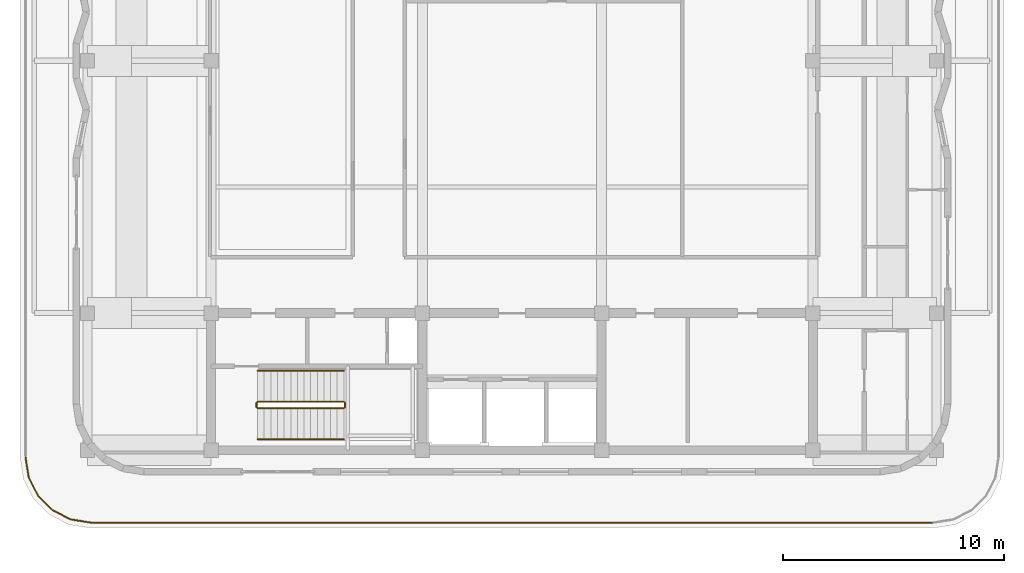
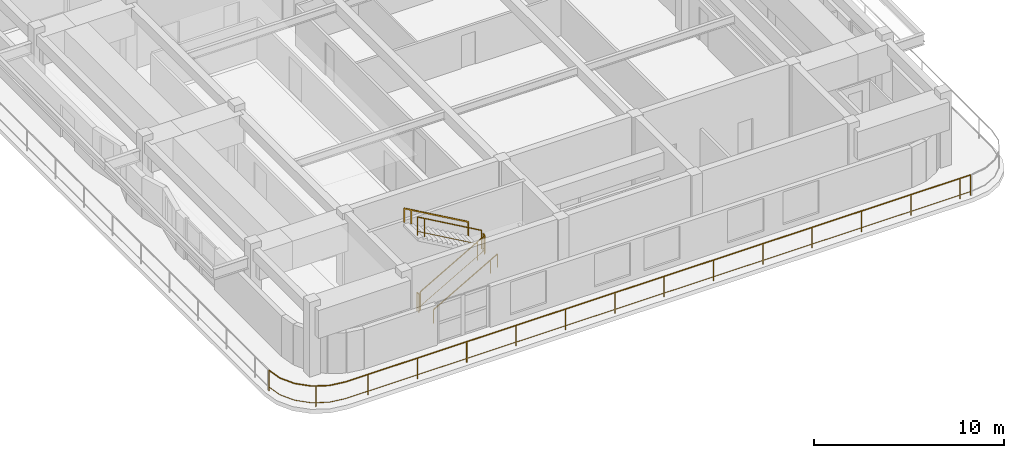
# One storey, part 10 of 12: 7 railings.
"""IFC4 building model written with IfcOpenShell, lengths in metres."""

import ifcopenshell
import ifcopenshell.guid

model = None  # the IFC model being written
_history = None  # IfcOwnerHistory: only IFC2X3 demands one
_inside = {}  # id of a spatial element -> (the spatial element, [elements in it])
_under = {}  # id of a project, library or spatial element -> (it, [spatial elements below it])
_declared = {}  # id of a project -> (the project, [libraries it declares])
_typed = {}  # id of a type object -> (the type object, [elements of that type])
_made_of = {}  # id of a material, layer set ... -> (it, [elements and type objects made of it])


def new_model(schema):
    """Start an empty IFC model of exactly this schema.

    Asked for "IFC4X3", IfcOpenShell would pick the latest addendum, in which some entities
    have other attributes; the version numbers below select the first issue.
    IFC2X3 requires an IfcOwnerHistory on every rooted entity: one is made here for all.
    """
    global model, _history
    if schema == "IFC4X3":
        model = ifcopenshell.file(schema_version=(4, 3, 0, 0))
    else:
        model = ifcopenshell.file(schema=schema)
    _inside.clear()
    _under.clear()
    _declared.clear()
    _typed.clear()
    _made_of.clear()
    _history = None
    if model.schema == "IFC2X3":
        org = make("IfcOrganization", Name="unknown")
        user = make(
            "IfcPersonAndOrganization",
            ThePerson=make("IfcPerson", FamilyName="unknown"),
            TheOrganization=org,
        )
        app = make(
            "IfcApplication",
            ApplicationDeveloper=org,
            Version="unknown",
            ApplicationFullName="unknown",
            ApplicationIdentifier="unknown",
        )
        _history = make(
            "IfcOwnerHistory",
            OwningUser=user,
            OwningApplication=app,
            ChangeAction="ADDED",
            CreationDate=0,
        )
    return model


def make(cls, **values):
    """One entity of the class cls with the attributes given. An attribute that is None is left unset."""
    return model.create_entity(
        cls, **{name: value for name, value in values.items() if value is not None}
    )


def rooted(cls, **values):
    """An entity with a GlobalId (a new one), such as an element, a storey or a relation."""
    return make(cls, GlobalId=ifcopenshell.guid.new(), OwnerHistory=_history, **values)


def si_unit(unit_type, name, prefix=None):
    """IfcSIUnit, for example si_unit("LENGTHUNIT", "METRE", prefix="MILLI")."""
    return make("IfcSIUnit", UnitType=unit_type, Prefix=prefix, Name=name)


def assignment(units):
    """IfcUnitAssignment: the units of a project."""
    return None if units is None else make("IfcUnitAssignment", Units=units)


def point(xyz):
    """IfcCartesianPoint."""
    return None if xyz is None else make("IfcCartesianPoint", Coordinates=xyz)


def direction(xyz):
    """IfcDirection."""
    return None if xyz is None else make("IfcDirection", DirectionRatios=xyz)


def frame(location, z_axis=None, x_axis=None):
    """IfcAxis2Placement3D, a coordinate frame: its origin and axes. An axis left out is left unset."""
    return make(
        "IfcAxis2Placement3D",
        Location=point(location),
        Axis=direction(z_axis),
        RefDirection=direction(x_axis),
    )


def frame_2d(location, x_axis=None):
    """IfcAxis2Placement2D, a coordinate frame in the plane: its origin and x axis."""
    return make(
        "IfcAxis2Placement2D", Location=point(location), RefDirection=direction(x_axis)
    )


def origin():
    """The frame at (0, 0, 0) with its axes left unset."""
    return frame((0.0, 0.0, 0.0))


def origin_2d():
    """The frame at (0, 0) in the plane with its x axis left unset."""
    return frame_2d((0.0, 0.0))


def place(relative_to, where):
    """IfcLocalPlacement: puts the frame where relative to a parent placement (None: the world)."""
    return make(
        "IfcLocalPlacement", PlacementRelTo=relative_to, RelativePlacement=where
    )


def context(
    kind, dimensions, precision=None, world=None, true_north=None, identifier=None
):
    """IfcGeometricRepresentationContext, for example the 3D "Model" context."""
    return make(
        "IfcGeometricRepresentationContext",
        ContextIdentifier=identifier,
        ContextType=kind,
        CoordinateSpaceDimension=dimensions,
        Precision=precision,
        WorldCoordinateSystem=world,
        TrueNorth=true_north,
    )


def subcontext(parent, identifier, kind, view, scale=None):
    """IfcGeometricRepresentationSubContext, for example "Body" below "Model"."""
    return make(
        "IfcGeometricRepresentationSubContext",
        ContextIdentifier=identifier,
        ContextType=kind,
        ParentContext=parent,
        TargetScale=scale,
        TargetView=view,
    )


def project(units=None, contexts=None):
    """IfcProject with its units and contexts."""
    return rooted(
        "IfcProject",
        Name="project",
        RepresentationContexts=contexts,
        UnitsInContext=assignment(units),
    )


def spatial(cls, under=None, at=None, **own):
    """A site, building, storey or space (cls), placed at a placement, below another one or the project."""
    s = rooted(cls, ObjectPlacement=at, **own)
    if under is not None:
        _under.setdefault(under.id(), (under, []))[1].append(s)
    return s


def profile(cls, at=None, kind="AREA", **sizes):
    """A parametric profile (cls). Its sizes go by their IFC names, for example OverallWidth=200.0."""
    return make(cls, ProfileType=kind, Position=at, **sizes)


def rectangle(**sizes):
    """IfcRectangleProfileDef."""
    return profile("IfcRectangleProfileDef", **sizes)


def extrude(swept, where, along, depth):
    """IfcExtrudedAreaSolid: the profile swept, set in the frame where, extruded along a direction by depth."""
    return make(
        "IfcExtrudedAreaSolid",
        SweptArea=swept,
        Position=where,
        ExtrudedDirection=direction(along),
        Depth=depth,
    )


def shape(context_of_items, identifier, shape_type, items):
    """IfcShapeRepresentation: the items that make up one representation, for example the "Body"."""
    return make(
        "IfcShapeRepresentation",
        ContextOfItems=context_of_items,
        RepresentationIdentifier=identifier,
        RepresentationType=shape_type,
        Items=items,
    )


def material(Name=None, Category=None):
    """IfcMaterial."""
    return make("IfcMaterial", Name=Name, Category=Category)


def made_of(thing, what):
    """Note that an element or type object is made of a material, layer set ...; save() writes the relation."""
    if what is not None:
        _made_of.setdefault(what.id(), (what, []))[1].append(thing)
    return thing


def type_object(cls, material=None, **own):
    """A type object (cls), such as IfcWallType, which elements share."""
    return made_of(rooted(cls, **own), material)


def element(
    cls,
    number,
    at=None,
    inside=None,
    cuts=None,
    type_object=None,
    material=None,
    context=None,
    identifier="Body",
    shape_type=None,
    held_by="IfcProductDefinitionShape",
    body=None,
    shapes=None,
    **own,
):
    """One element of the class cls, such as IfcWall. Its Tag is "e" and its number.

    at: its placement. inside: the storey or other place that contains it. cuts: it is an
    opening in that element (IfcRelVoidsElement). A single representation is given by context,
    identifier, shape_type and body (its items); several are given by shapes. held_by: the class
    of the entity that holds the representations. save() writes the other relations.
    """
    e = rooted(cls, Tag="e%d" % number, ObjectPlacement=at, **own)
    if body is not None:
        shapes = [shape(context, identifier, shape_type, body)]
    if shapes is not None:
        e.Representation = make(held_by, Representations=shapes)
    if inside is not None:
        _inside.setdefault(inside.id(), (inside, []))[1].append(e)
    if cuts is not None:
        rooted(
            "IfcRelVoidsElement", RelatingBuildingElement=cuts, RelatedOpeningElement=e
        )
    if type_object is not None:
        _typed.setdefault(type_object.id(), (type_object, []))[1].append(e)
    return made_of(e, material)


def aggregate(whole, parts):
    """IfcRelAggregates: a whole, such as a stair, and the parts it consists of."""
    return rooted("IfcRelAggregates", RelatingObject=whole, RelatedObjects=parts)


def save(model, path):
    """Write the relations noted so far, then the file.

    IfcRelAggregates (storeys below a building ...), IfcRelContainedInSpatialStructure (elements
    in a storey), IfcRelDefinesByType, IfcRelAssociatesMaterial and IfcRelDeclares: one each for
    every whole, place, type object, material and project.
    """
    for whole, parts in _under.values():
        aggregate(whole, parts)
    for where, things in _inside.values():
        rooted(
            "IfcRelContainedInSpatialStructure",
            RelatedElements=things,
            RelatingStructure=where,
        )
    for kind, things in _typed.values():
        rooted("IfcRelDefinesByType", RelatedObjects=things, RelatingType=kind)
    for what, things in _made_of.values():
        rooted("IfcRelAssociatesMaterial", RelatedObjects=things, RelatingMaterial=what)
    for by, libraries in _declared.values():
        rooted("IfcRelDeclares", RelatingContext=by, RelatedDefinitions=libraries)
    model.write(path)


model = new_model("IFC4")

# Units and contexts
model_context = context("Model", 3, precision=1e-05, world=origin(), true_north=direction((0.0, 1.0)))
body_context = subcontext(model_context, "Body", "Model", "MODEL_VIEW")
ifc_project = project(units=[si_unit("LENGTHUNIT", "METRE"), si_unit("AREAUNIT", "SQUARE_METRE"), si_unit("VOLUMEUNIT", "CUBIC_METRE"), si_unit("PLANEANGLEUNIT", "RADIAN"), si_unit("MASSUNIT", "GRAM", prefix="KILO")], contexts=[model_context])

# Site, building, storey
site_placement = place(None, origin())
site = spatial("IfcSite", under=ifc_project, at=site_placement, CompositionType="ELEMENT")
building_placement = place(site_placement, origin())
building = spatial("IfcBuilding", under=site, at=building_placement, Name="Svetorya Sky Lyceum", CompositionType="ELEMENT")
storey_placement = place(building_placement, frame((0.0, 0.0, 297.199951171875)))
storey = spatial("IfcBuildingStorey", under=building, at=storey_placement, Name="L75", CompositionType="ELEMENT", Elevation=297.199951171875)

# Railings
ifc_material_1 = material(Name="Laminated glass lookout balustrade", Category="glass")
railing_type_1 = type_object("IfcRailingType", Name="RL-OBS-1350", PredefinedType="BALUSTRADE", material=ifc_material_1)
railing_1_placement = place(storey_placement, frame((17.2099609375, 10.280029296875, 0.0)))
element("IfcRailing", 1, at=railing_1_placement, inside=storey, type_object=railing_type_1, Name="L75 Sky Observatory Balustrade Quadrant 1", PredefinedType="BALUSTRADE", context=body_context, shape_type="SweptSolid", body=[
    extrude(rectangle(XDim=0.048095703125, YDim=0.048095703125, at=origin_2d()), frame((0.0, 0.0, 1.326171875), z_axis=(0.156587347521, -0.98766411426, 0.0), x_axis=(0.98766411426, 0.156587347521, 0.0)), (0.0, 0.0, 1.0), 0.923095703125),
    extrude(rectangle(XDim=0.02392578125, YDim=0.02392578125, at=origin_2d()), frame((0.0, 0.0, 0.25), z_axis=(0.156587347521, -0.98766411426, 0.0), x_axis=(0.98766411426, 0.156587347521, 0.0)), (0.0, 0.0, 1.0), 0.923095703125),
    extrude(rectangle(XDim=0.048095703125, YDim=0.048095703125, at=origin_2d()), frame((0.14453125, -0.91162109375, 1.326171875), z_axis=(0.453866348456, -0.891069771532, 0.0), x_axis=(0.891069771532, 0.453866348456, 0.0)), (0.0, 0.0, 1.0), 0.923095703125),
    extrude(rectangle(XDim=0.02392578125, YDim=0.02392578125, at=origin_2d()), frame((0.14453125, -0.91162109375, 0.25), z_axis=(0.453866348456, -0.891069771532, 0.0), x_axis=(0.891069771532, 0.453866348456, 0.0)), (0.0, 0.0, 1.0), 0.923095703125),
    extrude(rectangle(XDim=0.048095703125, YDim=0.048095703125, at=origin_2d()), frame((0.5634765625, -1.734130859375, 1.326171875), z_axis=(0.707106781187, -0.707106781187, 0.0), x_axis=(0.707106781187, 0.707106781187, 0.0)), (0.0, 0.0, 1.0), 0.9228515625),
    extrude(rectangle(XDim=0.02392578125, YDim=0.02392578125, at=origin_2d()), frame((0.5634765625, -1.734130859375, 0.25), z_axis=(0.707106781187, -0.707106781187, 0.0), x_axis=(0.707106781187, 0.707106781187, 0.0)), (0.0, 0.0, 1.0), 0.9228515625),
    extrude(rectangle(XDim=0.048095703125, YDim=0.048095703125, at=origin_2d()), frame((1.216064453125, -2.38671875, 1.326171875), z_axis=(0.891015268556, -0.453973337542, 0.0), x_axis=(0.453973337542, 0.891015268556, 0.0)), (0.0, 0.0, 1.0), 0.9228515625),
    extrude(rectangle(XDim=0.02392578125, YDim=0.02392578125, at=origin_2d()), frame((1.216064453125, -2.38671875, 0.25), z_axis=(0.891015268556, -0.453973337542, 0.0), x_axis=(0.453973337542, 0.891015268556, 0.0)), (0.0, 0.0, 1.0), 0.9228515625),
    extrude(rectangle(XDim=0.048095703125, YDim=0.048095703125, at=origin_2d()), frame((2.038330078125, -2.8056640625, 1.326171875), z_axis=(0.987704989555, -0.156329311416, 0.0), x_axis=(0.156329311416, 0.987704989555, 0.0)), (0.0, 0.0, 1.0), 0.9228515625),
    extrude(rectangle(XDim=0.02392578125, YDim=0.02392578125, at=origin_2d()), frame((2.038330078125, -2.8056640625, 0.25), z_axis=(0.987704989555, -0.156329311416, 0.0), x_axis=(0.156329311416, 0.987704989555, 0.0)), (0.0, 0.0, 1.0), 0.9228515625),
    extrude(rectangle(XDim=0.048095703125, YDim=0.048095703125, at=origin_2d()), frame((2.949951171875, -2.949951171875, 1.326171875), z_axis=(1.0, 0.0, 0.0), x_axis=(0.0, 1.0, 0.0)), (0.0, 0.0, 1.0), 38.02001953125),
    extrude(rectangle(XDim=0.02392578125, YDim=0.02392578125, at=origin_2d()), frame((2.949951171875, -2.949951171875, 0.25), z_axis=(1.0, 0.0, 0.0), x_axis=(0.0, 1.0, 0.0)), (0.0, 0.0, 1.0), 38.02001953125),
    extrude(rectangle(XDim=0.0419921875, YDim=0.0419921875, at=origin_2d()), origin(), (0.0, 0.0, 1.0), 1.302001953125),
    extrude(rectangle(XDim=0.0419921875, YDim=0.0419921875, at=origin_2d()), frame((1.421875, -2.49169921875, 0.0)), (0.0, 0.0, 1.0), 1.302001953125),
    extrude(rectangle(XDim=0.0419921875, YDim=0.0419921875, at=origin_2d()), frame((4.335205078125, -2.949951171875, 0.0)), (0.0, 0.0, 1.0), 1.302001953125),
    extrude(rectangle(XDim=0.0419921875, YDim=0.0419921875, at=origin_2d()), frame((7.335205078125, -2.949951171875, 0.0)), (0.0, 0.0, 1.0), 1.302001953125),
    extrude(rectangle(XDim=0.0419921875, YDim=0.0419921875, at=origin_2d()), frame((10.335205078125, -2.949951171875, 0.0)), (0.0, 0.0, 1.0), 1.302001953125),
    extrude(rectangle(XDim=0.0419921875, YDim=0.0419921875, at=origin_2d()), frame((13.335205078125, -2.949951171875, 0.0)), (0.0, 0.0, 1.0), 1.302001953125),
    extrude(rectangle(XDim=0.0419921875, YDim=0.0419921875, at=origin_2d()), frame((16.335205078125, -2.949951171875, 0.0)), (0.0, 0.0, 1.0), 1.302001953125),
    extrude(rectangle(XDim=0.0419921875, YDim=0.0419921875, at=origin_2d()), frame((19.335205078125, -2.949951171875, 0.0)), (0.0, 0.0, 1.0), 1.302001953125),
    extrude(rectangle(XDim=0.0419921875, YDim=0.0419921875, at=origin_2d()), frame((22.335205078125, -2.949951171875, 0.0)), (0.0, 0.0, 1.0), 1.302001953125),
    extrude(rectangle(XDim=0.0419921875, YDim=0.0419921875, at=origin_2d()), frame((25.335205078125, -2.949951171875, 0.0)), (0.0, 0.0, 1.0), 1.302001953125),
    extrude(rectangle(XDim=0.0419921875, YDim=0.0419921875, at=origin_2d()), frame((28.335205078125, -2.949951171875, 0.0)), (0.0, 0.0, 1.0), 1.302001953125),
    extrude(rectangle(XDim=0.0419921875, YDim=0.0419921875, at=origin_2d()), frame((31.335205078125, -2.949951171875, 0.0)), (0.0, 0.0, 1.0), 1.302001953125),
    extrude(rectangle(XDim=0.0419921875, YDim=0.0419921875, at=origin_2d()), frame((34.335205078125, -2.949951171875, 0.0)), (0.0, 0.0, 1.0), 1.302001953125),
    extrude(rectangle(XDim=0.0419921875, YDim=0.0419921875, at=origin_2d()), frame((37.335205078125, -2.949951171875, 0.0)), (0.0, 0.0, 1.0), 1.302001953125),
    extrude(rectangle(XDim=0.0419921875, YDim=0.0419921875, at=origin_2d()), frame((40.335205078125, -2.949951171875, 0.0)), (0.0, 0.0, 1.0), 1.302001953125),
    extrude(rectangle(XDim=0.0419921875, YDim=0.0419921875, at=origin_2d()), frame((40.969970703125, -2.949951171875, 0.0)), (0.0, 0.0, 1.0), 1.302001953125),
])
ifc_material_2 = material(Name="Painted galvanized stair well guard")
railing_type_2 = type_object("IfcRailingType", Name="RL-STR-GUARD-1200", PredefinedType="GUARDRAIL", material=ifc_material_2)
railing_2_placement = place(storey_placement, frame((27.699951171875, 12.5, 0.17138671875)))
element("IfcRailing", 2, at=railing_2_placement, inside=storey, type_object=railing_type_2, Name="L75 ST-S stair guard 1", PredefinedType="GUARDRAIL", context=body_context, shape_type="SweptSolid", body=[
    extrude(rectangle(XDim=0.048095703125, YDim=0.048095703125, at=origin_2d()), frame((0.0, 0.0, 1.17578125), z_axis=(0.868233108195, 0.0, 0.496156497321), x_axis=(0.0, 1.0, 0.0)), (0.0, 0.0, 1.0), 4.491943359375),
    extrude(rectangle(XDim=0.02392578125, YDim=0.02392578125, at=origin_2d()), frame((0.0, 0.0, 0.25), z_axis=(0.868233108195, 0.0, 0.496156497321), x_axis=(0.0, 1.0, 0.0)), (0.0, 0.0, 1.0), 4.491943359375),
    extrude(rectangle(XDim=0.0419921875, YDim=0.0419921875, at=origin_2d()), origin(), (0.0, 0.0, 1.0), 1.15185546875),
    extrude(rectangle(XDim=0.0419921875, YDim=0.0419921875, at=origin_2d()), frame((3.472900390625, 0.0, 1.984619140625)), (0.0, 0.0, 1.0), 1.15185546875),
    extrude(rectangle(XDim=0.0419921875, YDim=0.0419921875, at=origin_2d()), frame((3.900146484375, 0.0, 2.228759765625)), (0.0, 0.0, 1.0), 1.15185546875),
])
railing_3_placement = place(storey_placement, frame((31.64990234375, 12.550048828125, 2.400146484375)))
element("IfcRailing", 3, at=railing_3_placement, inside=storey, type_object=railing_type_2, Name="L75 ST-S stair guard 2", PredefinedType="GUARDRAIL", context=body_context, shape_type="SweptSolid", body=[
    extrude(rectangle(XDim=0.048095703125, YDim=0.048095703125, at=origin_2d()), frame((0.0, 0.0, 1.17578125), z_axis=(0.0, 1.0, 0.0), x_axis=(-1.0, 0.0, 0.0)), (0.0, 0.0, 1.0), 0.199951171875),
    extrude(rectangle(XDim=0.02392578125, YDim=0.02392578125, at=origin_2d()), frame((0.0, 0.0, 0.25), z_axis=(0.0, 1.0, 0.0), x_axis=(-1.0, 0.0, 0.0)), (0.0, 0.0, 1.0), 0.199951171875),
    extrude(rectangle(XDim=0.0419921875, YDim=0.0419921875, at=origin_2d()), origin(), (0.0, 0.0, 1.0), 1.15185546875),
    extrude(rectangle(XDim=0.0419921875, YDim=0.0419921875, at=origin_2d()), frame((0.0, 0.199951171875, 0.0)), (0.0, 0.0, 1.0), 1.15185546875),
])
railing_4_placement = place(storey_placement, frame((31.60009765625, 12.800048828125, 2.571533203125)))
element("IfcRailing", 4, at=railing_4_placement, inside=storey, type_object=railing_type_2, Name="L75 ST-S stair guard 3", PredefinedType="GUARDRAIL", context=body_context, shape_type="SweptSolid", body=[
    extrude(rectangle(XDim=0.048095703125, YDim=0.048095703125, at=origin_2d()), frame((0.0, 0.0, 1.17578125), z_axis=(-0.868256520506, 0.0, 0.496115525457), x_axis=(0.0, -1.0, 0.0)), (0.0, 0.0, 1.0), 4.491943359375),
    extrude(rectangle(XDim=0.02392578125, YDim=0.02392578125, at=origin_2d()), frame((0.0, 0.0, 0.25), z_axis=(-0.868256520506, 0.0, 0.496115525457), x_axis=(0.0, -1.0, 0.0)), (0.0, 0.0, 1.0), 4.491943359375),
    extrude(rectangle(XDim=0.0419921875, YDim=0.0419921875, at=origin_2d()), origin(), (0.0, 0.0, 1.0), 1.15185546875),
    extrude(rectangle(XDim=0.0419921875, YDim=0.0419921875, at=origin_2d()), frame((-3.47314453125, 0.0, 1.984375)), (0.0, 0.0, 1.0), 1.15185546875),
    extrude(rectangle(XDim=0.0419921875, YDim=0.0419921875, at=origin_2d()), frame((-3.900146484375, 0.0, 2.228515625)), (0.0, 0.0, 1.0), 1.15185546875),
])
railing_5_placement = place(storey_placement, frame((27.64990234375, 12.550048828125, 0.0)))
element("IfcRailing", 5, at=railing_5_placement, inside=storey, type_object=railing_type_2, Name="L75 ST-S stair guard 4", PredefinedType="GUARDRAIL", context=body_context, shape_type="SweptSolid", body=[
    extrude(rectangle(XDim=0.048095703125, YDim=0.048095703125, at=origin_2d()), frame((0.0, 0.0, 1.17578125), z_axis=(0.0, 1.0, 0.0), x_axis=(-1.0, 0.0, 0.0)), (0.0, 0.0, 1.0), 0.199951171875),
    extrude(rectangle(XDim=0.02392578125, YDim=0.02392578125, at=origin_2d()), frame((0.0, 0.0, 0.25), z_axis=(0.0, 1.0, 0.0), x_axis=(-1.0, 0.0, 0.0)), (0.0, 0.0, 1.0), 0.199951171875),
    extrude(rectangle(XDim=0.0419921875, YDim=0.0419921875, at=origin_2d()), origin(), (0.0, 0.0, 1.0), 1.15185546875),
    extrude(rectangle(XDim=0.0419921875, YDim=0.0419921875, at=origin_2d()), frame((0.0, 0.199951171875, 0.0)), (0.0, 0.0, 1.0), 1.15185546875),
])
ifc_material_3 = material(Name="Brushed stainless AISI 304 stair handrail")
railing_type_3 = type_object("IfcRailingType", Name="RL-STR-HAND-920", PredefinedType="HANDRAIL", material=ifc_material_3)
railing_6_placement = place(storey_placement, frame((27.699951171875, 11.10009765625, 0.17138671875)))
element("IfcRailing", 6, at=railing_6_placement, inside=storey, type_object=railing_type_3, Name="L75 ST-S stair handrail 1", PredefinedType="HANDRAIL", context=body_context, shape_type="SweptSolid", body=[
    extrude(rectangle(XDim=0.048095703125, YDim=0.048095703125, at=origin_2d()), frame((0.0, 0.0, 0.8759765625), z_axis=(0.868233108195, 0.0, 0.496156497321), x_axis=(0.0, 1.0, 0.0)), (0.0, 0.0, 1.0), 4.491943359375),
    extrude(rectangle(XDim=0.0419921875, YDim=0.0419921875, at=origin_2d()), origin(), (0.0, 0.0, 1.0), 0.851806640625),
    extrude(rectangle(XDim=0.0419921875, YDim=0.0419921875, at=origin_2d()), frame((3.472900390625, 0.0, 1.984619140625)), (0.0, 0.0, 1.0), 0.851806640625),
    extrude(rectangle(XDim=0.0419921875, YDim=0.0419921875, at=origin_2d()), frame((3.900146484375, 0.0, 2.228759765625)), (0.0, 0.0, 1.0), 0.851806640625),
])
railing_7_placement = place(storey_placement, frame((31.60009765625, 14.199951171875, 2.571533203125)))
element("IfcRailing", 7, at=railing_7_placement, inside=storey, type_object=railing_type_3, Name="L75 ST-S stair handrail 2", PredefinedType="HANDRAIL", context=body_context, shape_type="SweptSolid", body=[
    extrude(rectangle(XDim=0.048095703125, YDim=0.048095703125, at=origin_2d()), frame((0.0, 0.0, 0.8759765625), z_axis=(-0.868256520506, 0.0, 0.496115525457), x_axis=(0.0, -1.0, 0.0)), (0.0, 0.0, 1.0), 4.491943359375),
    extrude(rectangle(XDim=0.0419921875, YDim=0.0419921875, at=origin_2d()), origin(), (0.0, 0.0, 1.0), 0.851806640625),
    extrude(rectangle(XDim=0.0419921875, YDim=0.0419921875, at=origin_2d()), frame((-3.47314453125, 0.0, 1.984375)), (0.0, 0.0, 1.0), 0.851806640625),
    extrude(rectangle(XDim=0.0419921875, YDim=0.0419921875, at=origin_2d()), frame((-3.900146484375, 0.0, 2.228515625)), (0.0, 0.0, 1.0), 0.851806640625),
])

save(model, "model.ifc")
